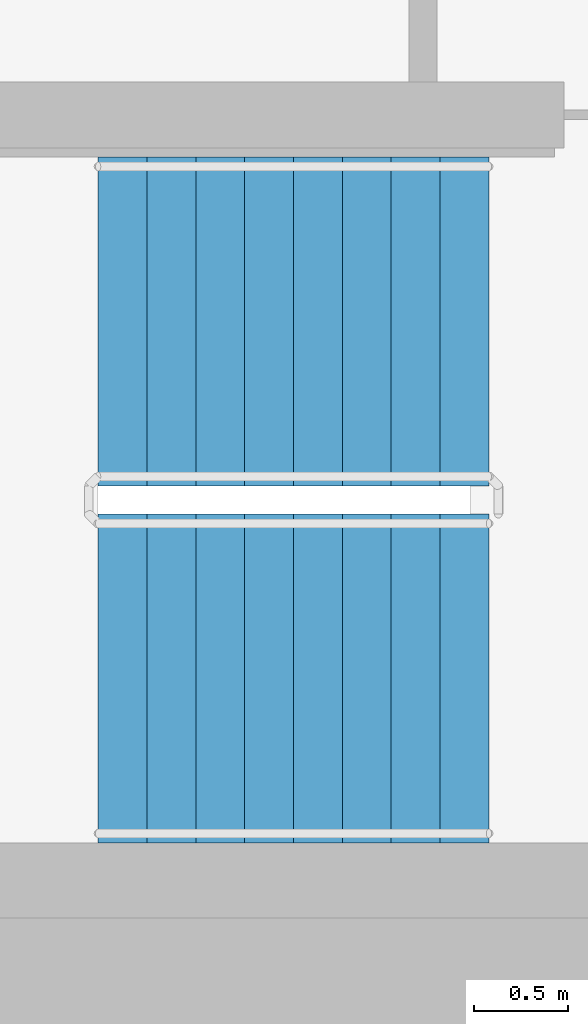
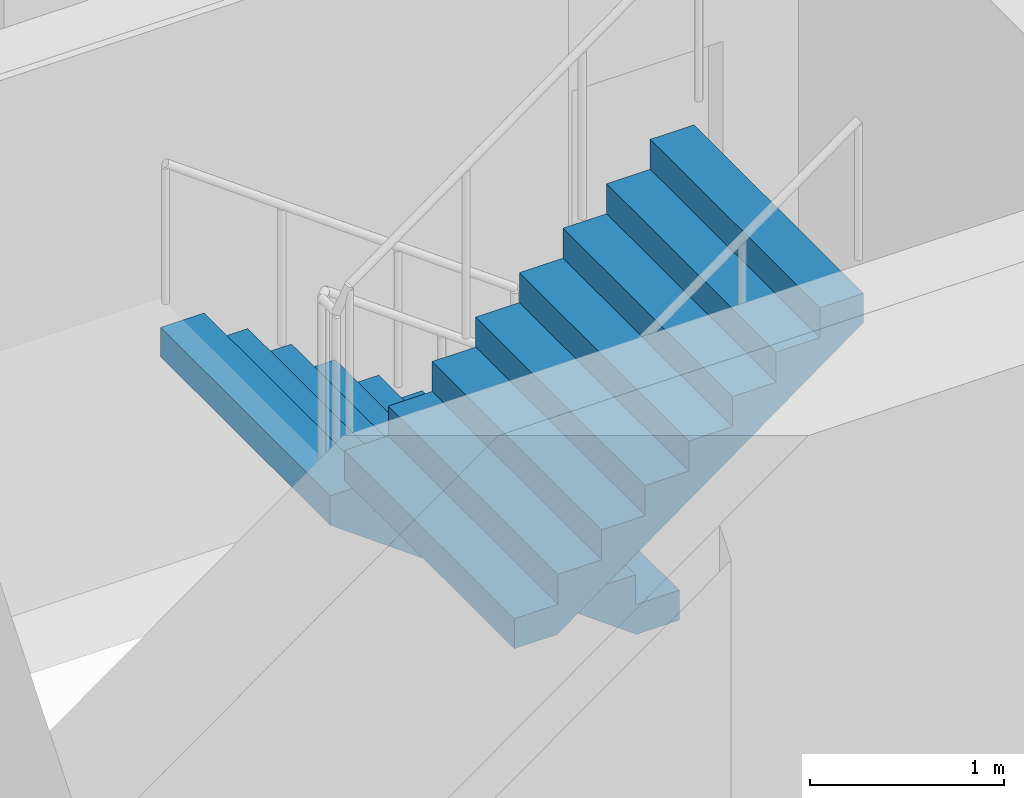
# One storey, part 14 of 20: 2 stair flights, 1 element without a shape of its own.
"""IFC4 building model written with IfcOpenShell, lengths in metres."""

from ifc_helpers import new_model, si_unit, direction, frame, origin, place, context, subcontext, project, spatial, faceted_brep, material, type_object, element, aggregate, save


model = new_model("IFC4")

# Units and contexts
model_context = context("Model", 3, precision=1e-05, world=origin(), true_north=direction((0.0, 1.0)))
body_context = subcontext(model_context, "Body", "Model", "MODEL_VIEW")
ifc_project = project(units=[si_unit("LENGTHUNIT", "METRE"), si_unit("AREAUNIT", "SQUARE_METRE"), si_unit("VOLUMEUNIT", "CUBIC_METRE"), si_unit("PLANEANGLEUNIT", "RADIAN"), si_unit("MASSUNIT", "GRAM", prefix="KILO")], contexts=[model_context])

# Site, building, storey
site_placement = place(None, origin())
site = spatial("IfcSite", under=ifc_project, at=site_placement, CompositionType="ELEMENT")
building_placement = place(site_placement, origin())
building = spatial("IfcBuilding", under=site, at=building_placement, Name="Ipe Terrace Towers", CompositionType="ELEMENT")
storey_placement = place(building_placement, frame((0.0, 0.0, 154.10009765625)))
storey = spatial("IfcBuildingStorey", under=building, at=storey_placement, Name="L42", CompositionType="ELEMENT", Elevation=154.10009765625)

# Stair, stair flights
ifc_material_1 = material(Name="Concrete C30/37", Category="concrete")
stair_type = type_object("IfcStairType", Name="Protected exit stair", PredefinedType="HALF_TURN_STAIR", material=ifc_material_1)
stair_placement = place(storey_placement, origin())
stair = element("IfcStair", 1, at=stair_placement, inside=storey, type_object=stair_type, Name="L42 Exit stair T1-C2", PredefinedType="HALF_TURN_STAIR")
ifc_material_2 = material(Name="Concrete C30/37", Category="concrete")
stair_flight_type = type_object("IfcStairFlightType", Name="Exit stair flight 1750", PredefinedType="STRAIGHT", material=ifc_material_2)
stair_flight_1_placement = place(storey_placement, frame((-45.699951171875, -2.77490234375, 0.0), z_axis=(0.0, 0.0, 1.0), x_axis=(-1.0, 0.0, 0.0)))
stair_flight_1 = element("IfcStairFlight", 2, at=stair_flight_1_placement, type_object=stair_flight_type, Name="T1-ST2 flight 1", NumberOfRisers=9, NumberOfTreads=8, PredefinedType="STRAIGHT", RiserHeight=0.188888889, TreadLength=0.26, context=body_context, shape_type="Brep", body=[
    faceted_brep([(0.255126953125, -0.875, 0.0), (2.080078125, -0.875, 1.325927734375), (2.080078125, -0.875, 1.51123046875), (1.820068359375, -0.875, 1.51123046875), (1.820068359375, -0.875, 1.322265625), (1.56005859375, -0.875, 1.322265625), (1.56005859375, -0.875, 1.13330078125), (1.300048828125, -0.875, 1.13330078125), (1.300048828125, -0.875, 0.9443359375), (1.0400390625, -0.875, 0.9443359375), (1.0400390625, -0.875, 0.755615234375), (0.780029296875, -0.875, 0.755615234375), (0.780029296875, -0.875, 0.566650390625), (0.52001953125, -0.875, 0.566650390625), (0.52001953125, -0.875, 0.377685546875), (0.260009765625, -0.875, 0.377685546875), (0.260009765625, -0.875, 0.18896484375), (0.0, -0.875, 0.18896484375), (0.0, -0.875, 0.0), (0.0, 0.875, 0.0), (0.0, 0.875, 0.18896484375), (0.260009765625, 0.875, 0.18896484375), (0.260009765625, 0.875, 0.377685546875), (0.52001953125, 0.875, 0.377685546875), (0.52001953125, 0.875, 0.566650390625), (0.780029296875, 0.875, 0.566650390625), (0.780029296875, 0.875, 0.755615234375), (1.0400390625, 0.875, 0.755615234375), (1.0400390625, 0.875, 0.9443359375), (1.300048828125, 0.875, 0.9443359375), (1.300048828125, 0.875, 1.13330078125), (1.56005859375, 0.875, 1.13330078125), (1.56005859375, 0.875, 1.322265625), (1.820068359375, 0.875, 1.322265625), (1.820068359375, 0.875, 1.51123046875), (2.080078125, 0.875, 1.51123046875), (2.080078125, 0.875, 1.325927734375), (0.255126953125, 0.875, 0.0), (0.0, -0.300048828125, 0.18896484375), (0.0, -0.1201171875, 0.18896484375), (0.0, -0.06005859375, 0.18896484375), (0.0, -0.030029296875, 0.18896484375), (0.0, -0.010009765625, 0.18896484375), (0.0, 0.0, 0.18896484375), (0.0, 0.010009765625, 0.18896484375), (0.0, 0.030029296875, 0.18896484375), (0.0, 0.06005859375, 0.18896484375), (0.0, 0.1201171875, 0.18896484375), (0.0, 0.300048828125, 0.18896484375), (0.0, 0.300048828125, 0.0), (0.0, 0.1201171875, 0.0), (0.0, 0.06005859375, 0.0), (0.0, 0.030029296875, 0.0), (0.0, 0.010009765625, 0.0), (0.0, 0.0, 0.0), (0.0, -0.010009765625, 0.0), (0.0, -0.030029296875, 0.0), (0.0, -0.06005859375, 0.0), (0.0, -0.1201171875, 0.0), (0.0, -0.300048828125, 0.0), (0.260009765625, -0.300048828125, 0.18896484375), (0.260009765625, -0.1201171875, 0.18896484375), (0.260009765625, -0.06005859375, 0.18896484375), (0.260009765625, -0.030029296875, 0.18896484375), (0.260009765625, -0.010009765625, 0.18896484375), (0.260009765625, 0.0, 0.18896484375), (0.260009765625, 0.010009765625, 0.18896484375), (0.260009765625, 0.030029296875, 0.18896484375), (0.260009765625, 0.06005859375, 0.18896484375), (0.260009765625, 0.1201171875, 0.18896484375), (0.260009765625, 0.300048828125, 0.18896484375), (0.260009765625, -0.300048828125, 0.377685546875), (0.260009765625, -0.1201171875, 0.377685546875), (0.260009765625, -0.06005859375, 0.377685546875), (0.260009765625, -0.030029296875, 0.377685546875), (0.260009765625, -0.010009765625, 0.377685546875), (0.260009765625, 0.0, 0.377685546875), (0.260009765625, 0.010009765625, 0.377685546875), (0.260009765625, 0.030029296875, 0.377685546875), (0.260009765625, 0.06005859375, 0.377685546875), (0.260009765625, 0.1201171875, 0.377685546875), (0.260009765625, 0.300048828125, 0.377685546875), (0.52001953125, -0.300048828125, 0.377685546875), (0.52001953125, -0.1201171875, 0.377685546875), (0.52001953125, -0.06005859375, 0.377685546875), (0.52001953125, -0.030029296875, 0.377685546875), (0.52001953125, -0.010009765625, 0.377685546875), (0.52001953125, 0.0, 0.377685546875), (0.52001953125, 0.010009765625, 0.377685546875), (0.52001953125, 0.030029296875, 0.377685546875), (0.52001953125, 0.06005859375, 0.377685546875), (0.52001953125, 0.1201171875, 0.377685546875), (0.52001953125, 0.300048828125, 0.377685546875), (0.52001953125, -0.300048828125, 0.566650390625), (0.52001953125, -0.1201171875, 0.566650390625), (0.52001953125, -0.06005859375, 0.566650390625), (0.52001953125, -0.030029296875, 0.566650390625), (0.52001953125, -0.010009765625, 0.566650390625), (0.52001953125, 0.0, 0.566650390625), (0.52001953125, 0.010009765625, 0.566650390625), (0.52001953125, 0.030029296875, 0.566650390625), (0.52001953125, 0.06005859375, 0.566650390625), (0.52001953125, 0.1201171875, 0.566650390625), (0.52001953125, 0.300048828125, 0.566650390625), (0.780029296875, -0.300048828125, 0.566650390625), (0.780029296875, -0.1201171875, 0.566650390625), (0.780029296875, -0.06005859375, 0.566650390625), (0.780029296875, -0.030029296875, 0.566650390625), (0.780029296875, -0.010009765625, 0.566650390625), (0.780029296875, 0.0, 0.566650390625), (0.780029296875, 0.010009765625, 0.566650390625), (0.780029296875, 0.030029296875, 0.566650390625), (0.780029296875, 0.06005859375, 0.566650390625), (0.780029296875, 0.1201171875, 0.566650390625), (0.780029296875, 0.300048828125, 0.566650390625), (0.780029296875, -0.300048828125, 0.755615234375), (0.780029296875, -0.1201171875, 0.755615234375), (0.780029296875, -0.06005859375, 0.755615234375), (0.780029296875, -0.030029296875, 0.755615234375), (0.780029296875, -0.010009765625, 0.755615234375), (0.780029296875, 0.0, 0.755615234375), (0.780029296875, 0.010009765625, 0.755615234375), (0.780029296875, 0.030029296875, 0.755615234375), (0.780029296875, 0.06005859375, 0.755615234375), (0.780029296875, 0.1201171875, 0.755615234375), (0.780029296875, 0.300048828125, 0.755615234375), (1.0400390625, -0.300048828125, 0.755615234375), (1.0400390625, -0.1201171875, 0.755615234375), (1.0400390625, -0.06005859375, 0.755615234375), (1.0400390625, -0.030029296875, 0.755615234375), (1.0400390625, -0.010009765625, 0.755615234375), (1.0400390625, 0.0, 0.755615234375), (1.0400390625, 0.010009765625, 0.755615234375), (1.0400390625, 0.030029296875, 0.755615234375), (1.0400390625, 0.06005859375, 0.755615234375), (1.0400390625, 0.1201171875, 0.755615234375), (1.0400390625, 0.300048828125, 0.755615234375), (1.0400390625, -0.300048828125, 0.9443359375), (1.0400390625, -0.1201171875, 0.9443359375), (1.0400390625, -0.06005859375, 0.9443359375), (1.0400390625, -0.030029296875, 0.9443359375), (1.0400390625, -0.010009765625, 0.9443359375), (1.0400390625, 0.0, 0.9443359375), (1.0400390625, 0.010009765625, 0.9443359375), (1.0400390625, 0.030029296875, 0.9443359375), (1.0400390625, 0.06005859375, 0.9443359375), (1.0400390625, 0.1201171875, 0.9443359375), (1.0400390625, 0.300048828125, 0.9443359375), (1.300048828125, -0.300048828125, 0.9443359375), (1.300048828125, -0.1201171875, 0.9443359375), (1.300048828125, -0.06005859375, 0.9443359375), (1.300048828125, -0.030029296875, 0.9443359375), (1.300048828125, -0.010009765625, 0.9443359375), (1.300048828125, 0.0, 0.9443359375), (1.300048828125, 0.010009765625, 0.9443359375), (1.300048828125, 0.030029296875, 0.9443359375), (1.300048828125, 0.06005859375, 0.9443359375), (1.300048828125, 0.1201171875, 0.9443359375), (1.300048828125, 0.300048828125, 0.9443359375), (1.300048828125, -0.300048828125, 1.13330078125), (1.300048828125, -0.1201171875, 1.13330078125), (1.300048828125, -0.06005859375, 1.13330078125), (1.300048828125, -0.030029296875, 1.13330078125), (1.300048828125, -0.010009765625, 1.13330078125), (1.300048828125, 0.0, 1.13330078125), (1.300048828125, 0.010009765625, 1.13330078125), (1.300048828125, 0.030029296875, 1.13330078125), (1.300048828125, 0.06005859375, 1.13330078125), (1.300048828125, 0.1201171875, 1.13330078125), (1.300048828125, 0.300048828125, 1.13330078125), (1.56005859375, -0.300048828125, 1.13330078125), (1.56005859375, -0.1201171875, 1.13330078125), (1.56005859375, -0.06005859375, 1.13330078125), (1.56005859375, -0.030029296875, 1.13330078125), (1.56005859375, -0.010009765625, 1.13330078125), (1.56005859375, 0.0, 1.13330078125), (1.56005859375, 0.010009765625, 1.13330078125), (1.56005859375, 0.030029296875, 1.13330078125), (1.56005859375, 0.06005859375, 1.13330078125), (1.56005859375, 0.1201171875, 1.13330078125), (1.56005859375, 0.300048828125, 1.13330078125), (1.56005859375, -0.300048828125, 1.322265625), (1.56005859375, -0.1201171875, 1.322265625), (1.56005859375, -0.06005859375, 1.322265625), (1.56005859375, -0.030029296875, 1.322265625), (1.56005859375, -0.010009765625, 1.322265625), (1.56005859375, 0.0, 1.322265625), (1.56005859375, 0.010009765625, 1.322265625), (1.56005859375, 0.030029296875, 1.322265625), (1.56005859375, 0.06005859375, 1.322265625), (1.56005859375, 0.1201171875, 1.322265625), (1.56005859375, 0.300048828125, 1.322265625), (1.820068359375, -0.300048828125, 1.322265625), (1.820068359375, -0.1201171875, 1.322265625), (1.820068359375, -0.06005859375, 1.322265625), (1.820068359375, -0.030029296875, 1.322265625), (1.820068359375, -0.010009765625, 1.322265625), (1.820068359375, 0.0, 1.322265625), (1.820068359375, 0.010009765625, 1.322265625), (1.820068359375, 0.030029296875, 1.322265625), (1.820068359375, 0.06005859375, 1.322265625), (1.820068359375, 0.1201171875, 1.322265625), (1.820068359375, 0.300048828125, 1.322265625), (1.820068359375, -0.300048828125, 1.51123046875), (1.820068359375, -0.1201171875, 1.51123046875), (1.820068359375, -0.06005859375, 1.51123046875), (1.820068359375, -0.030029296875, 1.51123046875), (1.820068359375, -0.010009765625, 1.51123046875), (1.820068359375, 0.0, 1.51123046875), (1.820068359375, 0.010009765625, 1.51123046875), (1.820068359375, 0.030029296875, 1.51123046875), (1.820068359375, 0.06005859375, 1.51123046875), (1.820068359375, 0.1201171875, 1.51123046875), (1.820068359375, 0.300048828125, 1.51123046875), (2.080078125, -0.300048828125, 1.51123046875), (2.080078125, -0.1201171875, 1.51123046875), (2.080078125, -0.06005859375, 1.51123046875), (2.080078125, -0.030029296875, 1.51123046875), (2.080078125, -0.010009765625, 1.51123046875), (2.080078125, 0.0, 1.51123046875), (2.080078125, 0.010009765625, 1.51123046875), (2.080078125, 0.030029296875, 1.51123046875), (2.080078125, 0.06005859375, 1.51123046875), (2.080078125, 0.1201171875, 1.51123046875), (2.080078125, 0.300048828125, 1.51123046875), (2.080078125, -0.300048828125, 1.325927734375), (2.080078125, -0.1201171875, 1.325927734375), (2.080078125, -0.06005859375, 1.325927734375), (2.080078125, -0.030029296875, 1.325927734375), (2.080078125, -0.010009765625, 1.325927734375), (2.080078125, 0.0, 1.325927734375), (2.080078125, 0.010009765625, 1.325927734375), (2.080078125, 0.030029296875, 1.325927734375), (2.080078125, 0.06005859375, 1.325927734375), (2.080078125, 0.1201171875, 1.325927734375), (2.080078125, 0.300048828125, 1.325927734375), (0.255126953125, -0.300048828125, 0.0), (0.255126953125, -0.1201171875, 0.0), (0.255126953125, -0.06005859375, 0.0), (0.255126953125, -0.030029296875, 0.0), (0.255126953125, -0.010009765625, 0.0), (0.255126953125, 0.0, 0.0), (0.255126953125, 0.010009765625, 0.0), (0.255126953125, 0.030029296875, 0.0), (0.255126953125, 0.06005859375, 0.0), (0.255126953125, 0.1201171875, 0.0), (0.255126953125, 0.300048828125, 0.0)], [[[0, 1, 2, 3, 4, 5, 6, 7, 8, 9, 10, 11, 12, 13, 14, 15, 16, 17, 18]], [[19, 20, 21, 22, 23, 24, 25, 26, 27, 28, 29, 30, 31, 32, 33, 34, 35, 36, 37]], [[17, 38, 39, 40, 41, 42, 43, 44, 45, 46, 47, 48, 20, 19, 49, 50, 51, 52, 53, 54, 55, 56, 57, 58, 59, 18]], [[16, 60, 61, 62, 63, 64, 65, 66, 67, 68, 69, 70, 21, 20, 48, 47, 46, 45, 44, 43, 42, 41, 40, 39, 38, 17]], [[15, 71, 72, 73, 74, 75, 76, 77, 78, 79, 80, 81, 22, 21, 70, 69, 68, 67, 66, 65, 64, 63, 62, 61, 60, 16]], [[14, 82, 83, 84, 85, 86, 87, 88, 89, 90, 91, 92, 23, 22, 81, 80, 79, 78, 77, 76, 75, 74, 73, 72, 71, 15]], [[13, 93, 94, 95, 96, 97, 98, 99, 100, 101, 102, 103, 24, 23, 92, 91, 90, 89, 88, 87, 86, 85, 84, 83, 82, 14]], [[12, 104, 105, 106, 107, 108, 109, 110, 111, 112, 113, 114, 25, 24, 103, 102, 101, 100, 99, 98, 97, 96, 95, 94, 93, 13]], [[11, 115, 116, 117, 118, 119, 120, 121, 122, 123, 124, 125, 26, 25, 114, 113, 112, 111, 110, 109, 108, 107, 106, 105, 104, 12]], [[10, 126, 127, 128, 129, 130, 131, 132, 133, 134, 135, 136, 27, 26, 125, 124, 123, 122, 121, 120, 119, 118, 117, 116, 115, 11]], [[9, 137, 138, 139, 140, 141, 142, 143, 144, 145, 146, 147, 28, 27, 136, 135, 134, 133, 132, 131, 130, 129, 128, 127, 126, 10]], [[8, 148, 149, 150, 151, 152, 153, 154, 155, 156, 157, 158, 29, 28, 147, 146, 145, 144, 143, 142, 141, 140, 139, 138, 137, 9]], [[7, 159, 160, 161, 162, 163, 164, 165, 166, 167, 168, 169, 30, 29, 158, 157, 156, 155, 154, 153, 152, 151, 150, 149, 148, 8]], [[6, 170, 171, 172, 173, 174, 175, 176, 177, 178, 179, 180, 31, 30, 169, 168, 167, 166, 165, 164, 163, 162, 161, 160, 159, 7]], [[5, 181, 182, 183, 184, 185, 186, 187, 188, 189, 190, 191, 32, 31, 180, 179, 178, 177, 176, 175, 174, 173, 172, 171, 170, 6]], [[4, 192, 193, 194, 195, 196, 197, 198, 199, 200, 201, 202, 33, 32, 191, 190, 189, 188, 187, 186, 185, 184, 183, 182, 181, 5]], [[3, 203, 204, 205, 206, 207, 208, 209, 210, 211, 212, 213, 34, 33, 202, 201, 200, 199, 198, 197, 196, 195, 194, 193, 192, 4]], [[2, 214, 215, 216, 217, 218, 219, 220, 221, 222, 223, 224, 35, 34, 213, 212, 211, 210, 209, 208, 207, 206, 205, 204, 203, 3]], [[1, 225, 226, 227, 228, 229, 230, 231, 232, 233, 234, 235, 36, 35, 224, 223, 222, 221, 220, 219, 218, 217, 216, 215, 214, 2]], [[0, 236, 237, 238, 239, 240, 241, 242, 243, 244, 245, 246, 37, 36, 235, 234, 233, 232, 231, 230, 229, 228, 227, 226, 225, 1]], [[18, 59, 58, 57, 56, 55, 54, 53, 52, 51, 50, 49, 19, 37, 246, 245, 244, 243, 242, 241, 240, 239, 238, 237, 236, 0]]]),
])
stair_flight_2_placement = place(storey_placement, frame((-47.780029296875, -4.675048828125, 1.699951171875), z_axis=(0.0, 0.0, 1.0), x_axis=(1.0, 0.0, 0.0)))
stair_flight_2 = element("IfcStairFlight", 3, at=stair_flight_2_placement, type_object=stair_flight_type, Name="T1-ST2 flight 2", NumberOfRisers=9, NumberOfTreads=8, PredefinedType="STRAIGHT", RiserHeight=0.188888889, TreadLength=0.26, context=body_context, shape_type="Brep", body=[
    faceted_brep([(0.255126953125, -0.875, 0.0), (2.080078125, -0.875, 1.325927734375), (2.080078125, -0.875, 1.51123046875), (1.820068359375, -0.875, 1.51123046875), (1.820068359375, -0.875, 1.322265625), (1.56005859375, -0.875, 1.322265625), (1.56005859375, -0.875, 1.13330078125), (1.300048828125, -0.875, 1.13330078125), (1.300048828125, -0.875, 0.9443359375), (1.0400390625, -0.875, 0.9443359375), (1.0400390625, -0.875, 0.755615234375), (0.780029296875, -0.875, 0.755615234375), (0.780029296875, -0.875, 0.566650390625), (0.52001953125, -0.875, 0.566650390625), (0.52001953125, -0.875, 0.377685546875), (0.260009765625, -0.875, 0.377685546875), (0.260009765625, -0.875, 0.18896484375), (0.0, -0.875, 0.18896484375), (0.0, -0.875, 0.0), (0.0, 0.875, 0.0), (0.0, 0.875, 0.18896484375), (0.260009765625, 0.875, 0.18896484375), (0.260009765625, 0.875, 0.377685546875), (0.52001953125, 0.875, 0.377685546875), (0.52001953125, 0.875, 0.566650390625), (0.780029296875, 0.875, 0.566650390625), (0.780029296875, 0.875, 0.755615234375), (1.0400390625, 0.875, 0.755615234375), (1.0400390625, 0.875, 0.9443359375), (1.300048828125, 0.875, 0.9443359375), (1.300048828125, 0.875, 1.13330078125), (1.56005859375, 0.875, 1.13330078125), (1.56005859375, 0.875, 1.322265625), (1.820068359375, 0.875, 1.322265625), (1.820068359375, 0.875, 1.51123046875), (2.080078125, 0.875, 1.51123046875), (2.080078125, 0.875, 1.325927734375), (0.255126953125, 0.875, 0.0), (0.0, -0.300048828125, 0.18896484375), (0.0, -0.1201171875, 0.18896484375), (0.0, -0.06005859375, 0.18896484375), (0.0, -0.030029296875, 0.18896484375), (0.0, -0.010009765625, 0.18896484375), (0.0, 0.0, 0.18896484375), (0.0, 0.010009765625, 0.18896484375), (0.0, 0.030029296875, 0.18896484375), (0.0, 0.06005859375, 0.18896484375), (0.0, 0.1201171875, 0.18896484375), (0.0, 0.300048828125, 0.18896484375), (0.0, 0.300048828125, 0.0), (0.0, 0.1201171875, 0.0), (0.0, 0.06005859375, 0.0), (0.0, 0.030029296875, 0.0), (0.0, 0.010009765625, 0.0), (0.0, 0.0, 0.0), (0.0, -0.010009765625, 0.0), (0.0, -0.030029296875, 0.0), (0.0, -0.06005859375, 0.0), (0.0, -0.1201171875, 0.0), (0.0, -0.300048828125, 0.0), (0.260009765625, -0.300048828125, 0.18896484375), (0.260009765625, -0.1201171875, 0.18896484375), (0.260009765625, -0.06005859375, 0.18896484375), (0.260009765625, -0.030029296875, 0.18896484375), (0.260009765625, -0.010009765625, 0.18896484375), (0.260009765625, 0.0, 0.18896484375), (0.260009765625, 0.010009765625, 0.18896484375), (0.260009765625, 0.030029296875, 0.18896484375), (0.260009765625, 0.06005859375, 0.18896484375), (0.260009765625, 0.1201171875, 0.18896484375), (0.260009765625, 0.300048828125, 0.18896484375), (0.260009765625, -0.300048828125, 0.377685546875), (0.260009765625, -0.1201171875, 0.377685546875), (0.260009765625, -0.06005859375, 0.377685546875), (0.260009765625, -0.030029296875, 0.377685546875), (0.260009765625, -0.010009765625, 0.377685546875), (0.260009765625, 0.0, 0.377685546875), (0.260009765625, 0.010009765625, 0.377685546875), (0.260009765625, 0.030029296875, 0.377685546875), (0.260009765625, 0.06005859375, 0.377685546875), (0.260009765625, 0.1201171875, 0.377685546875), (0.260009765625, 0.300048828125, 0.377685546875), (0.52001953125, -0.300048828125, 0.377685546875), (0.52001953125, -0.1201171875, 0.377685546875), (0.52001953125, -0.06005859375, 0.377685546875), (0.52001953125, -0.030029296875, 0.377685546875), (0.52001953125, -0.010009765625, 0.377685546875), (0.52001953125, 0.0, 0.377685546875), (0.52001953125, 0.010009765625, 0.377685546875), (0.52001953125, 0.030029296875, 0.377685546875), (0.52001953125, 0.06005859375, 0.377685546875), (0.52001953125, 0.1201171875, 0.377685546875), (0.52001953125, 0.300048828125, 0.377685546875), (0.52001953125, -0.300048828125, 0.566650390625), (0.52001953125, -0.1201171875, 0.566650390625), (0.52001953125, -0.06005859375, 0.566650390625), (0.52001953125, -0.030029296875, 0.566650390625), (0.52001953125, -0.010009765625, 0.566650390625), (0.52001953125, 0.0, 0.566650390625), (0.52001953125, 0.010009765625, 0.566650390625), (0.52001953125, 0.030029296875, 0.566650390625), (0.52001953125, 0.06005859375, 0.566650390625), (0.52001953125, 0.1201171875, 0.566650390625), (0.52001953125, 0.300048828125, 0.566650390625), (0.780029296875, -0.300048828125, 0.566650390625), (0.780029296875, -0.1201171875, 0.566650390625), (0.780029296875, -0.06005859375, 0.566650390625), (0.780029296875, -0.030029296875, 0.566650390625), (0.780029296875, -0.010009765625, 0.566650390625), (0.780029296875, 0.0, 0.566650390625), (0.780029296875, 0.010009765625, 0.566650390625), (0.780029296875, 0.030029296875, 0.566650390625), (0.780029296875, 0.06005859375, 0.566650390625), (0.780029296875, 0.1201171875, 0.566650390625), (0.780029296875, 0.300048828125, 0.566650390625), (0.780029296875, -0.300048828125, 0.755615234375), (0.780029296875, -0.1201171875, 0.755615234375), (0.780029296875, -0.06005859375, 0.755615234375), (0.780029296875, -0.030029296875, 0.755615234375), (0.780029296875, -0.010009765625, 0.755615234375), (0.780029296875, 0.0, 0.755615234375), (0.780029296875, 0.010009765625, 0.755615234375), (0.780029296875, 0.030029296875, 0.755615234375), (0.780029296875, 0.06005859375, 0.755615234375), (0.780029296875, 0.1201171875, 0.755615234375), (0.780029296875, 0.300048828125, 0.755615234375), (1.0400390625, -0.300048828125, 0.755615234375), (1.0400390625, -0.1201171875, 0.755615234375), (1.0400390625, -0.06005859375, 0.755615234375), (1.0400390625, -0.030029296875, 0.755615234375), (1.0400390625, -0.010009765625, 0.755615234375), (1.0400390625, 0.0, 0.755615234375), (1.0400390625, 0.010009765625, 0.755615234375), (1.0400390625, 0.030029296875, 0.755615234375), (1.0400390625, 0.06005859375, 0.755615234375), (1.0400390625, 0.1201171875, 0.755615234375), (1.0400390625, 0.300048828125, 0.755615234375), (1.0400390625, -0.300048828125, 0.9443359375), (1.0400390625, -0.1201171875, 0.9443359375), (1.0400390625, -0.06005859375, 0.9443359375), (1.0400390625, -0.030029296875, 0.9443359375), (1.0400390625, -0.010009765625, 0.9443359375), (1.0400390625, 0.0, 0.9443359375), (1.0400390625, 0.010009765625, 0.9443359375), (1.0400390625, 0.030029296875, 0.9443359375), (1.0400390625, 0.06005859375, 0.9443359375), (1.0400390625, 0.1201171875, 0.9443359375), (1.0400390625, 0.300048828125, 0.9443359375), (1.300048828125, -0.300048828125, 0.9443359375), (1.300048828125, -0.1201171875, 0.9443359375), (1.300048828125, -0.06005859375, 0.9443359375), (1.300048828125, -0.030029296875, 0.9443359375), (1.300048828125, -0.010009765625, 0.9443359375), (1.300048828125, 0.0, 0.9443359375), (1.300048828125, 0.010009765625, 0.9443359375), (1.300048828125, 0.030029296875, 0.9443359375), (1.300048828125, 0.06005859375, 0.9443359375), (1.300048828125, 0.1201171875, 0.9443359375), (1.300048828125, 0.300048828125, 0.9443359375), (1.300048828125, -0.300048828125, 1.13330078125), (1.300048828125, -0.1201171875, 1.13330078125), (1.300048828125, -0.06005859375, 1.13330078125), (1.300048828125, -0.030029296875, 1.13330078125), (1.300048828125, -0.010009765625, 1.13330078125), (1.300048828125, 0.0, 1.13330078125), (1.300048828125, 0.010009765625, 1.13330078125), (1.300048828125, 0.030029296875, 1.13330078125), (1.300048828125, 0.06005859375, 1.13330078125), (1.300048828125, 0.1201171875, 1.13330078125), (1.300048828125, 0.300048828125, 1.13330078125), (1.56005859375, -0.300048828125, 1.13330078125), (1.56005859375, -0.1201171875, 1.13330078125), (1.56005859375, -0.06005859375, 1.13330078125), (1.56005859375, -0.030029296875, 1.13330078125), (1.56005859375, -0.010009765625, 1.13330078125), (1.56005859375, 0.0, 1.13330078125), (1.56005859375, 0.010009765625, 1.13330078125), (1.56005859375, 0.030029296875, 1.13330078125), (1.56005859375, 0.06005859375, 1.13330078125), (1.56005859375, 0.1201171875, 1.13330078125), (1.56005859375, 0.300048828125, 1.13330078125), (1.56005859375, -0.300048828125, 1.322265625), (1.56005859375, -0.1201171875, 1.322265625), (1.56005859375, -0.06005859375, 1.322265625), (1.56005859375, -0.030029296875, 1.322265625), (1.56005859375, -0.010009765625, 1.322265625), (1.56005859375, 0.0, 1.322265625), (1.56005859375, 0.010009765625, 1.322265625), (1.56005859375, 0.030029296875, 1.322265625), (1.56005859375, 0.06005859375, 1.322265625), (1.56005859375, 0.1201171875, 1.322265625), (1.56005859375, 0.300048828125, 1.322265625), (1.820068359375, -0.300048828125, 1.322265625), (1.820068359375, -0.1201171875, 1.322265625), (1.820068359375, -0.06005859375, 1.322265625), (1.820068359375, -0.030029296875, 1.322265625), (1.820068359375, -0.010009765625, 1.322265625), (1.820068359375, 0.0, 1.322265625), (1.820068359375, 0.010009765625, 1.322265625), (1.820068359375, 0.030029296875, 1.322265625), (1.820068359375, 0.06005859375, 1.322265625), (1.820068359375, 0.1201171875, 1.322265625), (1.820068359375, 0.300048828125, 1.322265625), (1.820068359375, -0.300048828125, 1.51123046875), (1.820068359375, -0.1201171875, 1.51123046875), (1.820068359375, -0.06005859375, 1.51123046875), (1.820068359375, -0.030029296875, 1.51123046875), (1.820068359375, -0.010009765625, 1.51123046875), (1.820068359375, 0.0, 1.51123046875), (1.820068359375, 0.010009765625, 1.51123046875), (1.820068359375, 0.030029296875, 1.51123046875), (1.820068359375, 0.06005859375, 1.51123046875), (1.820068359375, 0.1201171875, 1.51123046875), (1.820068359375, 0.300048828125, 1.51123046875), (2.080078125, -0.300048828125, 1.51123046875), (2.080078125, -0.1201171875, 1.51123046875), (2.080078125, -0.06005859375, 1.51123046875), (2.080078125, -0.030029296875, 1.51123046875), (2.080078125, -0.010009765625, 1.51123046875), (2.080078125, 0.0, 1.51123046875), (2.080078125, 0.010009765625, 1.51123046875), (2.080078125, 0.030029296875, 1.51123046875), (2.080078125, 0.06005859375, 1.51123046875), (2.080078125, 0.1201171875, 1.51123046875), (2.080078125, 0.300048828125, 1.51123046875), (2.080078125, -0.300048828125, 1.325927734375), (2.080078125, -0.1201171875, 1.325927734375), (2.080078125, -0.06005859375, 1.325927734375), (2.080078125, -0.030029296875, 1.325927734375), (2.080078125, -0.010009765625, 1.325927734375), (2.080078125, 0.0, 1.325927734375), (2.080078125, 0.010009765625, 1.325927734375), (2.080078125, 0.030029296875, 1.325927734375), (2.080078125, 0.06005859375, 1.325927734375), (2.080078125, 0.1201171875, 1.325927734375), (2.080078125, 0.300048828125, 1.325927734375), (0.255126953125, -0.300048828125, 0.0), (0.255126953125, -0.1201171875, 0.0), (0.255126953125, -0.06005859375, 0.0), (0.255126953125, -0.030029296875, 0.0), (0.255126953125, -0.010009765625, 0.0), (0.255126953125, 0.0, 0.0), (0.255126953125, 0.010009765625, 0.0), (0.255126953125, 0.030029296875, 0.0), (0.255126953125, 0.06005859375, 0.0), (0.255126953125, 0.1201171875, 0.0), (0.255126953125, 0.300048828125, 0.0)], [[[0, 1, 2, 3, 4, 5, 6, 7, 8, 9, 10, 11, 12, 13, 14, 15, 16, 17, 18]], [[19, 20, 21, 22, 23, 24, 25, 26, 27, 28, 29, 30, 31, 32, 33, 34, 35, 36, 37]], [[17, 38, 39, 40, 41, 42, 43, 44, 45, 46, 47, 48, 20, 19, 49, 50, 51, 52, 53, 54, 55, 56, 57, 58, 59, 18]], [[16, 60, 61, 62, 63, 64, 65, 66, 67, 68, 69, 70, 21, 20, 48, 47, 46, 45, 44, 43, 42, 41, 40, 39, 38, 17]], [[15, 71, 72, 73, 74, 75, 76, 77, 78, 79, 80, 81, 22, 21, 70, 69, 68, 67, 66, 65, 64, 63, 62, 61, 60, 16]], [[14, 82, 83, 84, 85, 86, 87, 88, 89, 90, 91, 92, 23, 22, 81, 80, 79, 78, 77, 76, 75, 74, 73, 72, 71, 15]], [[13, 93, 94, 95, 96, 97, 98, 99, 100, 101, 102, 103, 24, 23, 92, 91, 90, 89, 88, 87, 86, 85, 84, 83, 82, 14]], [[12, 104, 105, 106, 107, 108, 109, 110, 111, 112, 113, 114, 25, 24, 103, 102, 101, 100, 99, 98, 97, 96, 95, 94, 93, 13]], [[11, 115, 116, 117, 118, 119, 120, 121, 122, 123, 124, 125, 26, 25, 114, 113, 112, 111, 110, 109, 108, 107, 106, 105, 104, 12]], [[10, 126, 127, 128, 129, 130, 131, 132, 133, 134, 135, 136, 27, 26, 125, 124, 123, 122, 121, 120, 119, 118, 117, 116, 115, 11]], [[9, 137, 138, 139, 140, 141, 142, 143, 144, 145, 146, 147, 28, 27, 136, 135, 134, 133, 132, 131, 130, 129, 128, 127, 126, 10]], [[8, 148, 149, 150, 151, 152, 153, 154, 155, 156, 157, 158, 29, 28, 147, 146, 145, 144, 143, 142, 141, 140, 139, 138, 137, 9]], [[7, 159, 160, 161, 162, 163, 164, 165, 166, 167, 168, 169, 30, 29, 158, 157, 156, 155, 154, 153, 152, 151, 150, 149, 148, 8]], [[6, 170, 171, 172, 173, 174, 175, 176, 177, 178, 179, 180, 31, 30, 169, 168, 167, 166, 165, 164, 163, 162, 161, 160, 159, 7]], [[5, 181, 182, 183, 184, 185, 186, 187, 188, 189, 190, 191, 32, 31, 180, 179, 178, 177, 176, 175, 174, 173, 172, 171, 170, 6]], [[4, 192, 193, 194, 195, 196, 197, 198, 199, 200, 201, 202, 33, 32, 191, 190, 189, 188, 187, 186, 185, 184, 183, 182, 181, 5]], [[3, 203, 204, 205, 206, 207, 208, 209, 210, 211, 212, 213, 34, 33, 202, 201, 200, 199, 198, 197, 196, 195, 194, 193, 192, 4]], [[2, 214, 215, 216, 217, 218, 219, 220, 221, 222, 223, 224, 35, 34, 213, 212, 211, 210, 209, 208, 207, 206, 205, 204, 203, 3]], [[1, 225, 226, 227, 228, 229, 230, 231, 232, 233, 234, 235, 36, 35, 224, 223, 222, 221, 220, 219, 218, 217, 216, 215, 214, 2]], [[0, 236, 237, 238, 239, 240, 241, 242, 243, 244, 245, 246, 37, 36, 235, 234, 233, 232, 231, 230, 229, 228, 227, 226, 225, 1]], [[18, 59, 58, 57, 56, 55, 54, 53, 52, 51, 50, 49, 19, 37, 246, 245, 244, 243, 242, 241, 240, 239, 238, 237, 236, 0]]]),
])
aggregate(stair, [stair_flight_1, stair_flight_2])

save(model, "model.ifc")
